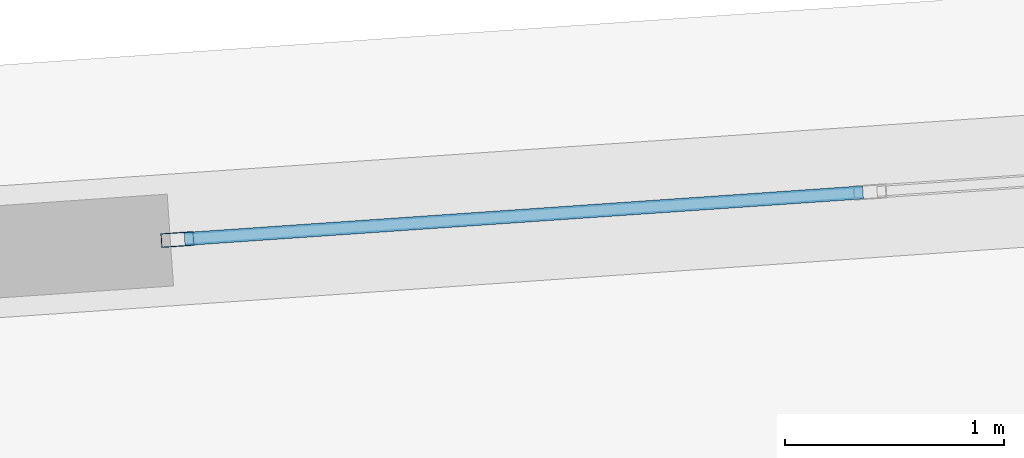
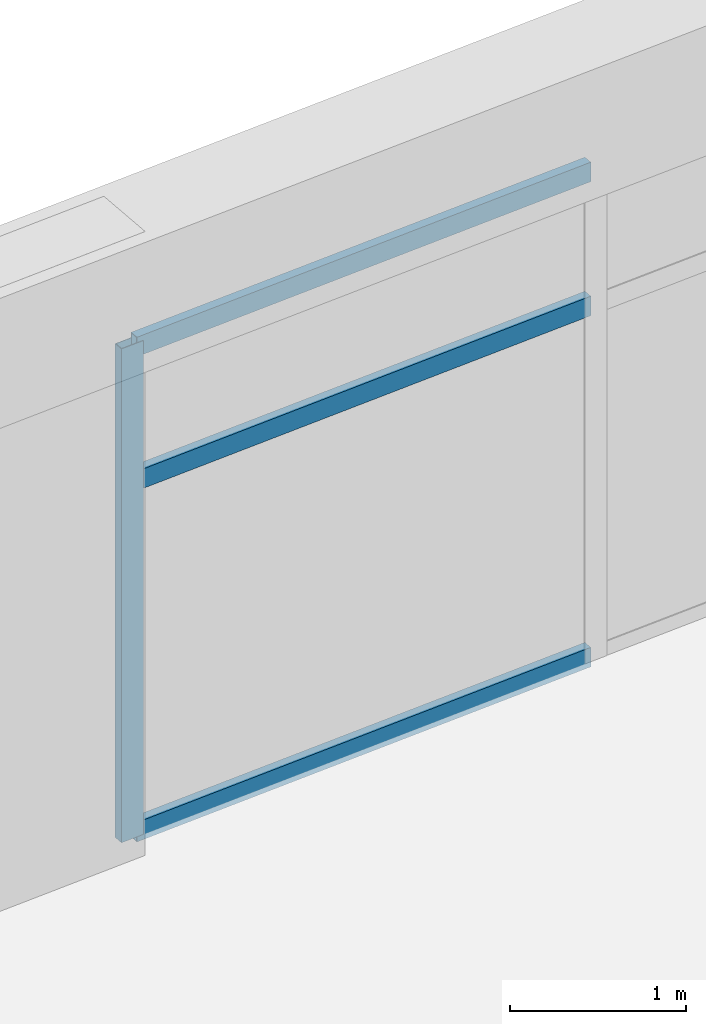
# One storey, part 18 of 30: 4 members, 1 element without a shape of its own.
"""IFC4 building model written with IfcOpenShell, lengths in metres."""

from ifc_helpers import new_model, si_unit, direction, frame, origin, origin_2d, place, context, subcontext, project, spatial, hollow_rectangle, extrude, source, transform, mapped, material, layer, layer_set, material_profile, profile_set, type_object, element, aggregate, save


model = new_model("IFC4")

# Units and contexts
model_context = context("Model", 3, precision=1e-05, world=origin(), true_north=direction((0.0, 1.0)))
body_context = subcontext(model_context, "Body", "Model", "MODEL_VIEW")
ifc_project = project(units=[si_unit("LENGTHUNIT", "METRE"), si_unit("AREAUNIT", "SQUARE_METRE"), si_unit("VOLUMEUNIT", "CUBIC_METRE"), si_unit("PLANEANGLEUNIT", "RADIAN"), si_unit("MASSUNIT", "GRAM", prefix="KILO")], contexts=[model_context])

# Site, building, storey
site_placement = place(None, origin())
site = spatial("IfcSite", under=ifc_project, at=site_placement, CompositionType="ELEMENT")
building_placement = place(site_placement, origin())
building = spatial("IfcBuilding", under=site, at=building_placement, Name="Liaohun Quay Tower", CompositionType="ELEMENT")
storey_placement = place(building_placement, frame((0.0, 0.0, 97.5)))
storey = spatial("IfcBuildingStorey", under=building, at=storey_placement, Name="L25", CompositionType="ELEMENT", Elevation=97.5)

# Curtain wall, members
ifc_material_1 = material(Name="Low-rise sky-lobby belvedere curtain wall")
ifc_layer = layer(ifc_material_1, 0.199951171875, Name="Low-rise sky-lobby belvedere curtain wall")
ifc_layer_set = layer_set([ifc_layer], Name="Low-rise sky-lobby belvedere curtain wall")
curtain_wall_type = type_object("IfcCurtainWallType", Name="CW-SKY-L25", PredefinedType="NOTDEFINED", material=ifc_layer_set)
curtain_wall_placement = place(storey_placement, origin())
curtain_wall = element("IfcCurtainWall", 1, at=curtain_wall_placement, inside=storey, type_object=curtain_wall_type, Name="L25 Panoramic Belvedere Curtain Wall 04", PredefinedType="NOTDEFINED")
ifc_material_2 = material(Name="Anodised aluminium 6063-T6", Category="aluminium")
ifc_material_profile_1 = material_profile(ifc_material_2, hollow_rectangle(XDim=0.06494140625, YDim=0.14990234375, WallThickness=0.00390625, at=origin_2d()), Name="RHS150x65x4")
ifc_profile_set_1 = profile_set([ifc_material_profile_1], Name="Anodised aluminium 6063-T6")
member_type_1 = type_object("IfcMemberType", Name="MEM-CWM-SKY", PredefinedType="MULLION", material=ifc_profile_set_1)
shared_shape_1 = source(origin(), body_context, "Body", "SweptSolid", [
    extrude(hollow_rectangle(XDim=0.06494140625, YDim=0.14990234375, WallThickness=0.00390625, at=origin_2d()), origin(), (0.0, 0.0, 1.0), 3.419921875),
])
member_1_placement = place(storey_placement, frame((39.866455078125, 79.75927734375, 0.0), z_axis=(0.0, 0.0, 1.0), x_axis=(0.068592957908, -0.997644729413, 0.0)))
member_1 = element("IfcMember", 2, at=member_1_placement, type_object=member_type_1, Name="CW3 mullion 3", PredefinedType="MULLION", context=body_context, shape_type="MappedRepresentation", body=[
    mapped(shared_shape_1, transform((0.0, 0.0, 0.0), x_axis=(1.0, 0.0, 0.0), y_axis=(0.0, 1.0, 0.0), z_axis=(0.0, 0.0, 1.0), scale=1.0)),
])
ifc_material_profile_2 = material_profile(ifc_material_2, hollow_rectangle(XDim=0.06005859375, YDim=0.135009765625, WallThickness=0.00390625, at=origin_2d()), Name="RHS135x60x4")
ifc_profile_set_2 = profile_set([ifc_material_profile_2], Name="Anodised aluminium 6063-T6")
member_type_2 = type_object("IfcMemberType", Name="MEM-CWT-SKY", PredefinedType="USERDEFINED", material=ifc_profile_set_2)
shared_shape_2 = source(origin(), body_context, "Body", "SweptSolid", [
    extrude(hollow_rectangle(XDim=0.06005859375, YDim=0.135009765625, WallThickness=0.00390625, at=origin_2d()), origin(), (0.0, 0.0, 1.0), 3.1025390625),
])
member_2_placement = place(storey_placement, frame((42.994140625, 79.974365234375, 0.030029296875), z_axis=(-0.997642976562, -0.068618447355, 0.0), x_axis=(0.068618447355, -0.997642976562, 0.0)))
member_2 = element("IfcMember", 3, at=member_2_placement, type_object=member_type_2, Name="CW3 transom 2.1", ObjectType="TRANSOM", PredefinedType="USERDEFINED", context=body_context, shape_type="MappedRepresentation", body=[
    mapped(shared_shape_2, transform((0.0, 0.0, 0.0), x_axis=(1.0, 0.0, 0.0), y_axis=(0.0, 1.0, 0.0), z_axis=(0.0, 0.0, 1.0), scale=1.0)),
])
member_3_placement = place(storey_placement, frame((42.994140625, 79.974365234375, 2.4619140625), z_axis=(-0.997642976562, -0.068618447355, 0.0), x_axis=(0.068618447355, -0.997642976562, 0.0)))
member_3 = element("IfcMember", 4, at=member_3_placement, type_object=member_type_2, Name="CW3 transom 2.2", ObjectType="TRANSOM", PredefinedType="USERDEFINED", context=body_context, shape_type="MappedRepresentation", body=[
    mapped(shared_shape_2, transform((0.0, 0.0, 0.0), x_axis=(1.0, 0.0, 0.0), y_axis=(0.0, 1.0, 0.0), z_axis=(0.0, 0.0, 1.0), scale=1.0)),
])
member_4_placement = place(storey_placement, frame((42.994140625, 79.974365234375, 3.389892578125), z_axis=(-0.997642976562, -0.068618447355, 0.0), x_axis=(0.068618447355, -0.997642976562, 0.0)))
member_4 = element("IfcMember", 5, at=member_4_placement, type_object=member_type_2, Name="CW3 transom 2.3", ObjectType="TRANSOM", PredefinedType="USERDEFINED", context=body_context, shape_type="MappedRepresentation", body=[
    mapped(shared_shape_2, transform((0.0, 0.0, 0.0), x_axis=(1.0, 0.0, 0.0), y_axis=(0.0, 1.0, 0.0), z_axis=(0.0, 0.0, 1.0), scale=1.0)),
])
aggregate(curtain_wall, [member_1, member_2, member_3, member_4])

save(model, "model.ifc")
